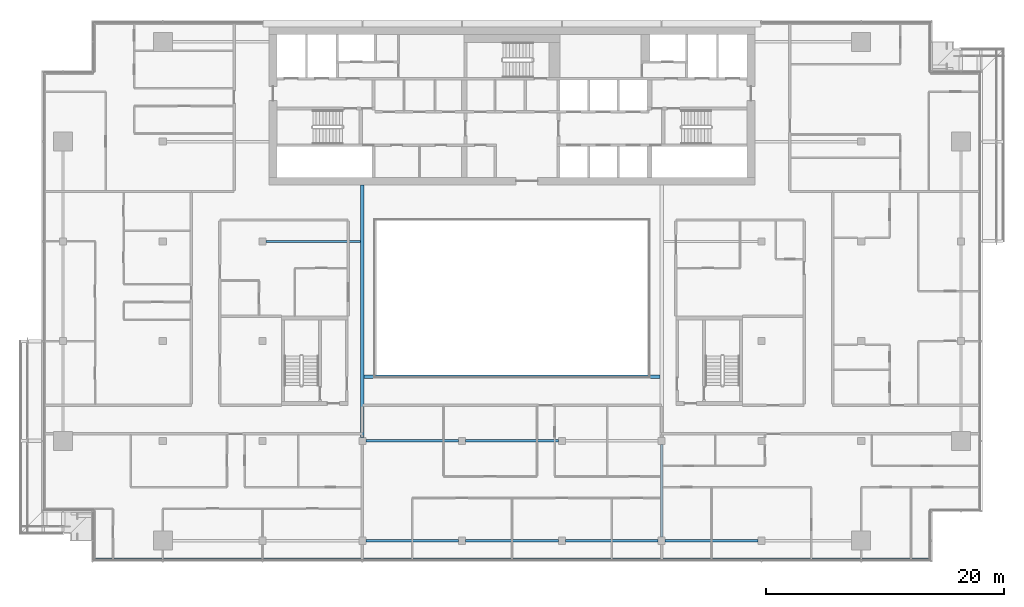
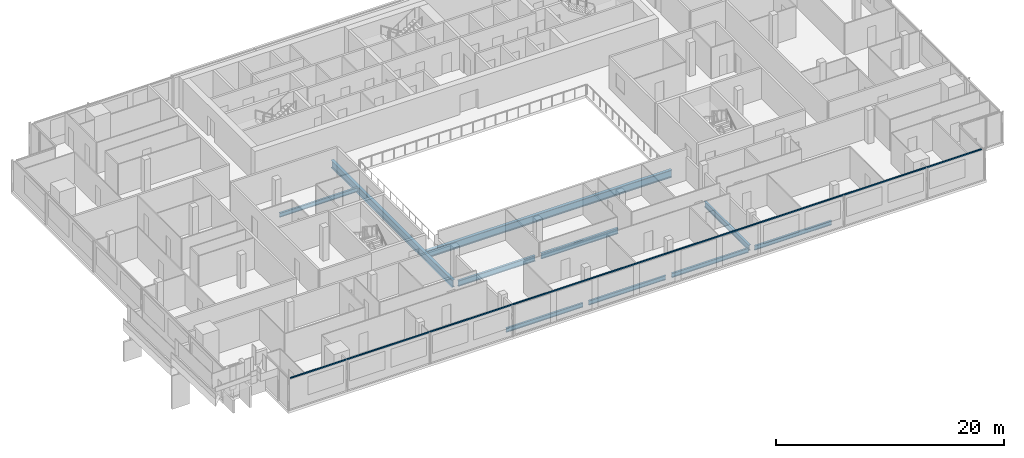
# One storey, part 5 of 30: 10 beams, 1 member, 1 element without a shape of its own.
"""IFC4 building model written with IfcOpenShell, lengths in metres."""

from ifc_helpers import new_model, si_unit, direction, frame, origin, origin_2d, place, context, subcontext, project, spatial, rectangle, i_section, extrude, material, material_profile, profile_set, type_object, element, aggregate, save


model = new_model("IFC4")

# Units and contexts
model_context = context("Model", 3, precision=1e-05, world=origin(), true_north=direction((0.0, 1.0)))
body_context = subcontext(model_context, "Body", "Model", "MODEL_VIEW")
ifc_project = project(units=[si_unit("LENGTHUNIT", "METRE"), si_unit("AREAUNIT", "SQUARE_METRE"), si_unit("VOLUMEUNIT", "CUBIC_METRE"), si_unit("PLANEANGLEUNIT", "RADIAN"), si_unit("MASSUNIT", "GRAM", prefix="KILO")], contexts=[model_context])

# Site, building, storey
site_placement = place(None, origin())
site = spatial("IfcSite", under=ifc_project, at=site_placement, CompositionType="ELEMENT")
building_placement = place(site_placement, origin())
building = spatial("IfcBuilding", under=site, at=building_placement, Name="Saffron Gate Tower", CompositionType="ELEMENT")
storey_placement = place(building_placement, frame((0.0, 0.0, 245.10009765625)))
storey = spatial("IfcBuildingStorey", under=building, at=storey_placement, Name="L60", CompositionType="ELEMENT", Elevation=245.10009765625)

# Beams
ifc_material_1 = material(Name="Structural steel S355", Category="steel")
ifc_material_profile_1 = material_profile(ifc_material_1, i_section(OverallWidth=0.219970703125, OverallDepth=0.60009765625, WebThickness=0.011962890625, FlangeThickness=0.01904296875, FilletRadius=0.02392578125, at=origin_2d()))
ifc_profile_set_1 = profile_set([ifc_material_profile_1], Name="Structural steel S355")
beam_type_1 = type_object("IfcBeamType", Name="B15 IPE 600", PredefinedType="BEAM", material=ifc_profile_set_1)
beam_1_placement = place(storey_placement, frame((100.199951171875, 32.10009765625, -0.580078125), z_axis=(0.0, 1.0, 0.0), x_axis=(-1.0, 0.0, 0.0)))
element("IfcBeam", 1, at=beam_1_placement, inside=storey, type_object=beam_type_1, Name="B15 FLOOR GIRDER", PredefinedType="BEAM", context=body_context, shape_type="SweptSolid", body=[
    extrude(i_section(OverallWidth=0.219970703125, OverallDepth=0.60009765625, WebThickness=0.011962890625, FlangeThickness=0.01904296875, FilletRadius=0.02392578125, at=origin_2d()), origin(), (0.0, 0.0, 1.0), 7.7998046875),
])
for number, where, z_axis, x_axis, name in (
    (2, (75.300048828125, 40.199951171875, -0.580078125), (1.0, 0.0, 0.0), (0.0, 1.0, 0.0), "B15 FLOOR GIRDER"),
    (3, (83.699951171875, 40.199951171875, -0.580078125), (1.0, 0.0, 0.0), (0.0, 1.0, 0.0), "B15 FLOOR GIRDER"),
):
    element("IfcBeam", number, at=place(storey_placement, frame(where, z_axis=z_axis, x_axis=x_axis)), inside=storey, type_object=beam_type_1, Name=name, PredefinedType="BEAM", context=body_context, shape_type="SweptSolid", body=[
        extrude(i_section(OverallWidth=0.219970703125, OverallDepth=0.60009765625, WebThickness=0.011962890625, FlangeThickness=0.01904296875, FilletRadius=0.02392578125, at=origin_2d()), origin(), (0.0, 0.0, 1.0), 7.800048828125),
    ])
ifc_material_profile_2 = material_profile(ifc_material_1, i_section(OverallWidth=0.300048828125, OverallDepth=0.7900390625, WebThickness=0.014892578125, FlangeThickness=0.028076171875, FilletRadius=0.030029296875, at=origin_2d()))
ifc_profile_set_2 = profile_set([ifc_material_profile_2], Name="Structural steel S355")
beam_type_2 = type_object("IfcBeamType", Name="B18 HEA 800", PredefinedType="BEAM", material=ifc_profile_set_2)
beam_2_placement = place(storey_placement, frame((75.0, 40.5, -0.675048828125), z_axis=(0.0, 1.0, 0.0), x_axis=(-1.0, 0.0, 0.0)))
element("IfcBeam", 4, at=beam_2_placement, inside=storey, type_object=beam_type_2, Name="B18 ATRIUM GIRDER", PredefinedType="BEAM", context=body_context, shape_type="SweptSolid", body=[
    extrude(i_section(OverallWidth=0.300048828125, OverallDepth=0.7900390625, WebThickness=0.014892578125, FlangeThickness=0.028076171875, FilletRadius=0.030029296875, at=origin_2d()), origin(), (0.0, 0.0, 1.0), 21.25),
])
beam_3_placement = place(storey_placement, frame((75.14990234375, 45.60009765625, -0.675048828125), z_axis=(1.0, 0.0, 0.0), x_axis=(0.0, 1.0, 0.0)))
element("IfcBeam", 5, at=beam_3_placement, inside=storey, type_object=beam_type_2, Name="B18 ATRIUM GIRDER", PredefinedType="BEAM", context=body_context, shape_type="SweptSolid", body=[
    extrude(i_section(OverallWidth=0.300048828125, OverallDepth=0.7900390625, WebThickness=0.014892578125, FlangeThickness=0.028076171875, FilletRadius=0.030029296875, at=origin_2d()), origin(), (0.0, 0.0, 1.0), 24.900146484375),
])
ifc_material_profile_3 = material_profile(ifc_material_1, i_section(OverallWidth=0.18994140625, OverallDepth=0.449951171875, WebThickness=0.009521484375, FlangeThickness=0.0146484375, FilletRadius=0.02099609375, at=origin_2d()))
ifc_profile_set_3 = profile_set([ifc_material_profile_3], Name="Structural steel S355")
beam_type_3 = type_object("IfcBeamType", Name="B6 IPE 450", PredefinedType="BEAM", material=ifc_profile_set_3)
beam_4_placement = place(storey_placement, frame((66.89990234375, 57.0, -0.505126953125), z_axis=(1.0, 0.0, 0.0), x_axis=(0.0, 1.0, 0.0)))
element("IfcBeam", 6, at=beam_4_placement, inside=storey, type_object=beam_type_3, Name="B6 CORE TIE BEAM", PredefinedType="BEAM", context=body_context, shape_type="SweptSolid", body=[
    extrude(i_section(OverallWidth=0.18994140625, OverallDepth=0.449951171875, WebThickness=0.009521484375, FlangeThickness=0.0146484375, FilletRadius=0.02099609375, at=origin_2d()), origin(), (0.0, 0.0, 1.0), 7.9501953125),
])
ifc_material_profile_4 = material_profile(ifc_material_1, i_section(OverallWidth=0.18994140625, OverallDepth=0.449951171875, WebThickness=0.009521484375, FlangeThickness=0.0146484375, FilletRadius=0.02099609375, at=origin_2d()))
ifc_profile_set_4 = profile_set([ifc_material_profile_4], Name="Structural steel S355")
beam_type_4 = type_object("IfcBeamType", Name="B7 IPE 450", PredefinedType="SPANDREL", material=ifc_profile_set_4)
for number, where, z_axis, x_axis, name in (
    (7, (75.300048828125, 31.800048828125, -0.505126953125), (1.0, 0.0, 0.0), (0.0, 1.0, 0.0), "B7 SPANDREL BEAM"),
    (8, (83.699951171875, 31.800048828125, -0.505126953125), (1.0, 0.0, 0.0), (0.0, 1.0, 0.0), "B7 SPANDREL BEAM"),
):
    element("IfcBeam", number, at=place(storey_placement, frame(where, z_axis=z_axis, x_axis=x_axis)), inside=storey, type_object=beam_type_4, Name=name, PredefinedType="SPANDREL", context=body_context, shape_type="SweptSolid", body=[
        extrude(i_section(OverallWidth=0.18994140625, OverallDepth=0.449951171875, WebThickness=0.009521484375, FlangeThickness=0.0146484375, FilletRadius=0.02099609375, at=origin_2d()), origin(), (0.0, 0.0, 1.0), 7.800048828125),
    ])
beam_5_placement = place(storey_placement, frame((92.10009765625, 31.800048828125, -0.505126953125), z_axis=(1.0, 0.0, 0.0), x_axis=(0.0, 1.0, 0.0)))
element("IfcBeam", 9, at=beam_5_placement, inside=storey, type_object=beam_type_4, Name="B7 SPANDREL BEAM", PredefinedType="SPANDREL", context=body_context, shape_type="SweptSolid", body=[
    extrude(i_section(OverallWidth=0.18994140625, OverallDepth=0.449951171875, WebThickness=0.009521484375, FlangeThickness=0.0146484375, FilletRadius=0.02099609375, at=origin_2d()), origin(), (0.0, 0.0, 1.0), 7.7998046875),
])
beam_6_placement = place(storey_placement, frame((100.5, 31.800048828125, -0.505126953125), z_axis=(1.0, 0.0, 0.0), x_axis=(0.0, 1.0, 0.0)))
element("IfcBeam", 10, at=beam_6_placement, inside=storey, type_object=beam_type_4, Name="B7 SPANDREL BEAM", PredefinedType="SPANDREL", context=body_context, shape_type="SweptSolid", body=[
    extrude(i_section(OverallWidth=0.18994140625, OverallDepth=0.449951171875, WebThickness=0.009521484375, FlangeThickness=0.0146484375, FilletRadius=0.02099609375, at=origin_2d()), origin(), (0.0, 0.0, 1.0), 7.800048828125),
])

# Curtain wall, member
ifc_material_2 = material(Name="Aluminium, bronze anodised", Category="aluminium")
curtain_wall_type = type_object("IfcCurtainWallType", Name="CWS1 curtain wall front facade", PredefinedType="NOTDEFINED", material=ifc_material_2)
curtain_wall_placement = place(storey_placement, origin())
curtain_wall = element("IfcCurtainWall", 11, at=curtain_wall_placement, inside=storey, type_object=curtain_wall_type, Name="CWS1 run 1", PredefinedType="NOTDEFINED")
ifc_material_profile_5 = material_profile(ifc_material_2, rectangle(XDim=0.1201171875, YDim=0.1201171875, at=origin_2d()))
ifc_profile_set_5 = profile_set([ifc_material_profile_5], Name="Aluminium, bronze anodised")
member_type = type_object("IfcMemberType", Name="CWS1 head transom", PredefinedType="USERDEFINED", material=ifc_profile_set_5)
member_placement = place(storey_placement, frame((52.568115234375, 30.248046875, 3.260009765625), z_axis=(1.0, 0.0, 0.0), x_axis=(0.0, 1.0, 0.0)))
member = element("IfcMember", 12, at=member_placement, type_object=member_type, Name="CWS1 head transom", ObjectType="TRANSOM", PredefinedType="USERDEFINED", context=body_context, shape_type="SweptSolid", body=[
    extrude(rectangle(XDim=0.1201171875, YDim=0.1201171875, at=origin_2d()), origin(), (0.0, 0.0, 1.0), 70.06396484375),
])
aggregate(curtain_wall, [member])

save(model, "model.ifc")
